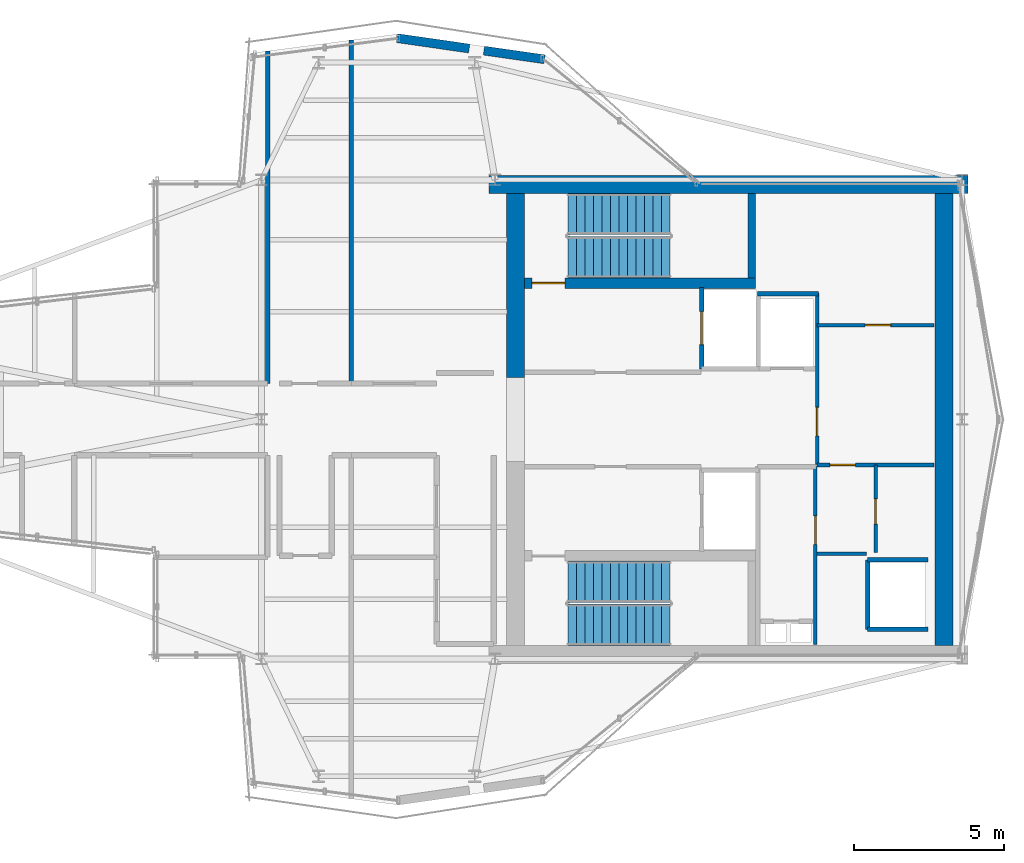
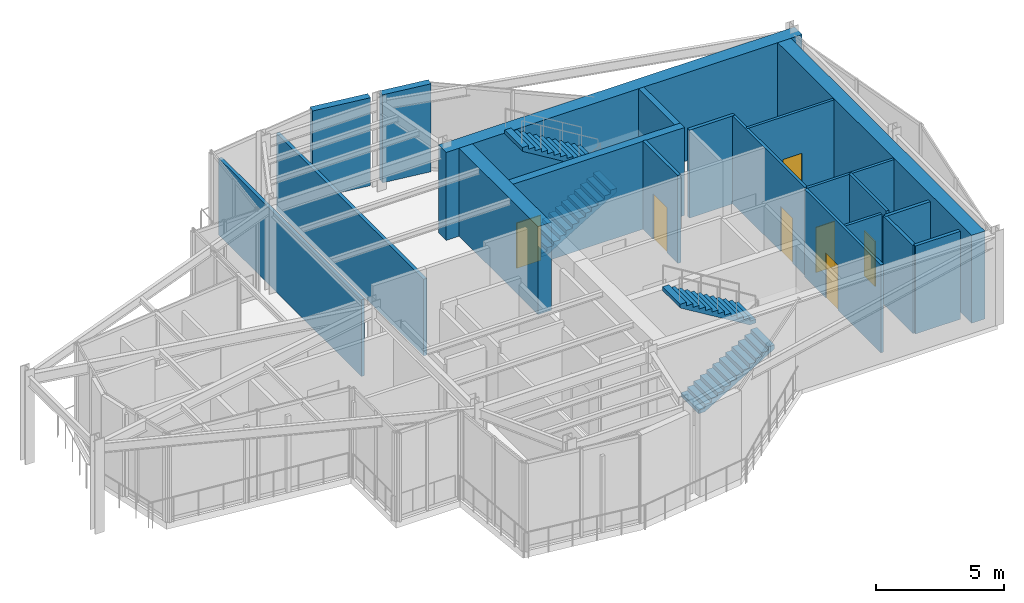
# One storey, part 9 of 14: 20 walls, 7 doors, 4 stair flights, 7 openings, 2 elements without a shape of their own.
"""IFC4 building model written with IfcOpenShell, lengths in metres."""

from ifc_helpers import new_model, si_unit, direction, frame, frame_2d, origin, place, context, subcontext, project, spatial, polyline, rectangle, outline, extrude, material, layer, layer_set, type_object, element, fill, aggregate, save


model = new_model("IFC4")

# Units and contexts
model_context = context("Model", 3, precision=1e-05, world=origin(), true_north=direction((0.0, 1.0)))
body_context = subcontext(model_context, "Body", "Model", "MODEL_VIEW")
ifc_project = project(units=[si_unit("LENGTHUNIT", "METRE"), si_unit("AREAUNIT", "SQUARE_METRE"), si_unit("VOLUMEUNIT", "CUBIC_METRE"), si_unit("PLANEANGLEUNIT", "RADIAN"), si_unit("MASSUNIT", "GRAM", prefix="KILO")], contexts=[model_context])

# Site, building, storey
site_placement = place(None, origin())
site = spatial("IfcSite", under=ifc_project, at=site_placement, CompositionType="ELEMENT")
building_placement = place(site_placement, origin())
building = spatial("IfcBuilding", under=site, at=building_placement, Name="Veymaron Broadcast Tower", CompositionType="ELEMENT")
storey_placement = place(building_placement, frame((0.0, 0.0, 332.39990234375)))
storey = spatial("IfcBuildingStorey", under=building, at=storey_placement, Name="L78", CompositionType="ELEMENT", Elevation=332.39990234375)

# Walls
ifc_material_1 = material(Name="Precast concrete C40/50 with mineral-wool insulation", Category="concrete")
ifc_layer_1 = layer(ifc_material_1, 0.300048828125)
ifc_layer_set_1 = layer_set([ifc_layer_1], Name="Precast concrete C40/50 with mineral-wool insulation")
wall_type_1 = type_object("IfcWallType", Name="WALL-EXT-300", PredefinedType="STANDARD", material=ifc_layer_set_1)
wall_1_placement = place(storey_placement, frame((40.65185546875, 36.029296875, 0.0), z_axis=(0.0, 0.0, 1.0), x_axis=(-0.989904067126, 0.141738978007, 0.0)))
element("IfcWall", 1, at=wall_1_placement, inside=storey, type_object=wall_type_1, Name="L78 crown plant enclosure wall 6-1", PredefinedType="STANDARD", context=body_context, shape_type="SweptSolid", body=[
    extrude(rectangle(XDim=2.044677734375, YDim=0.300048828125, at=frame_2d((1.0224609375, 0.0))), origin(), (0.0, 0.0, 1.0), 4.18017578125),
])
wall_2_placement = place(storey_placement, frame((38.13623046875, 36.389404296875, 0.0), z_axis=(0.0, 0.0, 1.0), x_axis=(-0.989917298502, 0.141646539412, 0.0)))
element("IfcWall", 2, at=wall_2_placement, inside=storey, type_object=wall_type_1, Name="L78 crown plant enclosure wall 6-2", PredefinedType="STANDARD", context=body_context, shape_type="SweptSolid", body=[
    extrude(rectangle(XDim=2.428466796875, YDim=0.300048828125, at=frame_2d((1.21435546875, 0.0))), origin(), (0.0, 0.0, 1.0), 4.18017578125),
])

# Wall, opening, door
ifc_material_2 = material(Name="Gypsum fireboard and steel stud framing", Category="steel")
ifc_layer_2 = layer(ifc_material_2, 0.14990234375)
ifc_layer_set_2 = layer_set([ifc_layer_2], Name="Gypsum fireboard and steel stud framing")
wall_type_2 = type_object("IfcWallType", Name="WALL-FIRE-150", PredefinedType="PARTITIONING", material=ifc_layer_set_2)
wall_3_placement = place(storey_placement, frame((45.89501953125, 25.68994140625, 0.0), z_axis=(0.0, 0.0, 1.0), x_axis=(0.0, 1.0, 0.0)))
wall_3 = element("IfcWall", 3, at=wall_3_placement, inside=storey, type_object=wall_type_2, Name="L78 partition IW-L78-SHW-FFL-1", PredefinedType="PARTITIONING", context=body_context, shape_type="SweptSolid", body=[
    extrude(rectangle(XDim=2.719970703125, YDim=0.14990234375, at=frame_2d((1.35986328125, 0.0))), origin(), (0.0, 0.0, 1.0), 4.18017578125),
])
opening_1_placement = place(wall_3_placement, frame((0.81005859375, 0.0, 0.0)))
opening_1 = element("IfcOpeningElement", 4, at=opening_1_placement, cuts=wall_3, Name="Opening LD", PredefinedType="OPENING", context=body_context, shape_type="SweptSolid", body=[
    extrude(rectangle(XDim=1.10009765625, YDim=2.14990234375, at=frame_2d((0.550048828125, 1.074951171875))), frame((0.0, 0.0849609375, 0.0), z_axis=(0.0, -1.0, 0.0), x_axis=(1.0, 0.0, 0.0)), (0.0, 0.0, 1.0), 0.169921875),
])
ifc_material_3 = material(Name="Brushed stainless steel AISI 304", Category="steel")
door_type_1 = type_object("IfcDoorType", Name="DOOR-LIFT-1100", OperationType="DOUBLE_DOOR_SLIDING", PredefinedType="DOOR", material=ifc_material_3)
door_1_placement = place(opening_1_placement, frame((1.10009765625, 0.0, 0.0), z_axis=(0.0, 0.0, 1.0), x_axis=(-1.0, 0.0, 0.0)))
door_1 = element("IfcDoor", 5, at=door_1_placement, inside=storey, type_object=door_type_1, Name="L78 door LD-L78-FFL-1", OperationType="DOUBLE_DOOR_SLIDING", OverallHeight=2.14990234375, OverallWidth=1.10009765625, PredefinedType="DOOR", context=body_context, shape_type="SweptSolid", body=[
    extrude(rectangle(XDim=1.10009765625, YDim=2.14990234375, at=frame_2d((0.550048828125, 1.074951171875))), frame((0.0, 0.02490234375, 0.0), z_axis=(0.0, -1.0, 0.0), x_axis=(1.0, 0.0, 0.0)), (0.0, 0.0, 1.0), 0.050048828125),
])
fill(opening_1, door_1)

# Walls
wall_4_placement = place(storey_placement, frame((51.445068359375, 16.989990234375, 0.0), z_axis=(0.0, 0.0, 1.0), x_axis=(0.0, 1.0, 0.0)))
element("IfcWall", 6, at=wall_4_placement, inside=storey, type_object=wall_type_2, Name="L78 partition IW-L78-SHW-PH1", PredefinedType="PARTITIONING", context=body_context, shape_type="SweptSolid", body=[
    extrude(rectangle(XDim=2.320068359375, YDim=0.14990234375, at=frame_2d((1.16015625, 0.0))), origin(), (0.0, 0.0, 1.0), 4.18017578125),
])
for number, where, z_axis, x_axis, name in (
    (7, (51.445068359375, 16.989990234375, 0.0), (0.0, 0.0, 1.0), (1.0, 0.0, 0.0), "L78 partition IW-L78-SHS-PH1"),
    (8, (51.445068359375, 19.31005859375, 0.0), (0.0, 0.0, 1.0), (1.0, 0.0, 0.0), "L78 partition IW-L78-SHN-PH1"),
):
    element("IfcWall", number, at=place(storey_placement, frame(where, z_axis=z_axis, x_axis=x_axis)), inside=storey, type_object=wall_type_2, Name=name, PredefinedType="PARTITIONING", context=body_context, shape_type="SweptSolid", body=[
        extrude(rectangle(XDim=2.014892578125, YDim=0.14990234375, at=frame_2d((1.00732421875, 0.0))), origin(), (0.0, 0.0, 1.0), 4.18017578125),
    ])
wall_5_placement = place(storey_placement, frame((47.760009765625, 28.199951171875, 0.0), z_axis=(0.0, 0.0, 1.0), x_axis=(1.0, 0.0, 0.0)))
element("IfcWall", 9, at=wall_5_placement, inside=storey, type_object=wall_type_2, Name="L78 partition IW-L78-F3-SW", PredefinedType="PARTITIONING", context=body_context, shape_type="SweptSolid", body=[
    extrude(rectangle(XDim=2.0400390625, YDim=0.14990234375, at=frame_2d((1.02001953125, 0.0))), origin(), (0.0, 0.0, 1.0), 4.18017578125),
])
ifc_material_4 = material(Name="Fire-rated laminated glass in aluminium frame", Category="aluminium")
ifc_layer_3 = layer(ifc_material_4, 0.14990234375)
ifc_layer_set_3 = layer_set([ifc_layer_3], Name="Fire-rated laminated glass in aluminium frame")
wall_type_3 = type_object("IfcWallType", Name="WALL-GLZ-150", PredefinedType="MOVABLE", material=ifc_layer_set_3)
wall_6_placement = place(storey_placement, frame((31.39990234375, 25.199951171875, 0.0), z_axis=(0.0, 0.0, 1.0), x_axis=(0.0, 1.0, 0.0)))
element("IfcWall", 10, at=wall_6_placement, inside=storey, type_object=wall_type_3, Name="L78 partition IW-L78-P29", PredefinedType="MOVABLE", context=body_context, shape_type="SweptSolid", body=[
    extrude(rectangle(XDim=11.10595703125, YDim=0.14990234375, at=frame_2d((5.552978515625, 0.0))), origin(), (0.0, 0.0, 1.0), 3.64013671875),
])
wall_7_placement = place(storey_placement, frame((34.199951171875, 25.199951171875, 0.0), z_axis=(0.0, 0.0, 1.0), x_axis=(0.0, 1.0, 0.0)))
element("IfcWall", 11, at=wall_7_placement, inside=storey, type_object=wall_type_3, Name="L78 partition IW-L78-P30", PredefinedType="MOVABLE", context=body_context, shape_type="SweptSolid", body=[
    extrude(rectangle(XDim=11.47021484375, YDim=0.14990234375, at=frame_2d((5.735107421875, 0.0))), origin(), (0.0, 0.0, 1.0), 3.64013671875),
])

# Wall, opening, door
ifc_material_5 = material(Name="Acoustic gypsum board and galvanized stud", Category="gypsum")
ifc_layer_4 = layer(ifc_material_5, 0.1201171875)
ifc_layer_set_4 = layer_set([ifc_layer_4], Name="Acoustic gypsum board and galvanized stud")
wall_type_4 = type_object("IfcWallType", Name="WALL-PART-120", PredefinedType="PARTITIONING", material=ifc_layer_set_4)
wall_8_placement = place(storey_placement, frame((49.699951171875, 16.47998046875, 0.0), z_axis=(0.0, 0.0, 1.0), x_axis=(0.0, 1.0, 0.0)))
wall_8 = element("IfcWall", 12, at=wall_8_placement, inside=storey, type_object=wall_type_4, Name="L78 partition IW-L78-SM-E", PredefinedType="PARTITIONING", context=body_context, shape_type="SweptSolid", body=[
    extrude(rectangle(XDim=5.945068359375, YDim=0.1201171875, at=frame_2d((2.97265625, 0.0))), origin(), (0.0, 0.0, 1.0), 4.18017578125),
])
opening_2_placement = place(wall_8_placement, frame((3.35009765625, 0.0, 0.0)))
opening_2 = element("IfcOpeningElement", 13, at=opening_2_placement, cuts=wall_8, Name="Opening ID-RM1", PredefinedType="OPENING", context=body_context, shape_type="SweptSolid", body=[
    extrude(rectangle(XDim=0.949951171875, YDim=2.14990234375, at=frame_2d((0.47509765625, 1.074951171875))), frame((0.0, 0.070068359375, 0.0), z_axis=(0.0, -1.0, 0.0), x_axis=(1.0, 0.0, 0.0)), (0.0, 0.0, 1.0), 0.14013671875),
])
ifc_material_6 = material(Name="Acoustic solid-core European oak veneer timber", Category="wood")
door_type_2 = type_object("IfcDoorType", Name="DOOR-INT-950", OperationType="NOTDEFINED", PredefinedType="DOOR", material=ifc_material_6)
door_2_placement = place(opening_2_placement, frame((0.949951171875, 0.0, 0.0), z_axis=(0.0, 0.0, 1.0), x_axis=(-1.0, 0.0, 0.0)))
door_2 = element("IfcDoor", 14, at=door_2_placement, inside=storey, type_object=door_type_2, Name="L78 door DR-L78-AWC", OperationType="SINGLE_SWING_LEFT", OverallHeight=2.14990234375, OverallWidth=0.949951171875, PredefinedType="DOOR", context=body_context, shape_type="SweptSolid", body=[
    extrude(rectangle(XDim=0.949951171875, YDim=2.14990234375, at=frame_2d((0.47509765625, 1.074951171875))), frame((0.0, 0.02490234375, 0.0), z_axis=(0.0, -1.0, 0.0), x_axis=(1.0, 0.0, 0.0)), (0.0, 0.0, 1.0), 0.050048828125),
])
fill(opening_2, door_2)

wall_9_placement = place(storey_placement, frame((49.760009765625, 22.47998046875, 0.0), z_axis=(0.0, 0.0, 1.0), x_axis=(1.0, 0.0, 0.0)))
wall_9 = element("IfcWall", 15, at=wall_9_placement, inside=storey, type_object=wall_type_4, Name="L78 partition IW-L78-F3S-N", PredefinedType="PARTITIONING", context=body_context, shape_type="SweptSolid", body=[
    extrude(rectangle(XDim=3.89990234375, YDim=0.1201171875, at=frame_2d((1.949951171875, 0.0))), origin(), (0.0, 0.0, 1.0), 4.18017578125),
])
opening_3_placement = place(wall_9_placement, frame((0.419921875, 0.0, 0.0)))
opening_3 = element("IfcOpeningElement", 16, at=opening_3_placement, cuts=wall_9, Name="Opening ID-WC1", PredefinedType="OPENING", context=body_context, shape_type="SweptSolid", body=[
    extrude(rectangle(XDim=0.85009765625, YDim=2.14990234375, at=frame_2d((0.425048828125, 1.074951171875))), frame((0.0, 0.070068359375, 0.0), z_axis=(0.0, -1.0, 0.0), x_axis=(1.0, 0.0, 0.0)), (0.0, 0.0, 1.0), 0.14013671875),
])
ifc_material_7 = material(Name="Moisture-resistant high-pressure laminate timber", Category="wood")
door_type_3 = type_object("IfcDoorType", Name="DOOR-INT-850", OperationType="NOTDEFINED", PredefinedType="DOOR", material=ifc_material_7)
door_3_placement = place(opening_3_placement, frame((0.85009765625, 0.0, 0.0), z_axis=(0.0, 0.0, 1.0), x_axis=(-1.0, 0.0, 0.0)))
door_3 = element("IfcDoor", 17, at=door_3_placement, inside=storey, type_object=door_type_3, Name="L78 door DR-L78-F3S", OperationType="SINGLE_SWING_LEFT", OverallHeight=2.14990234375, OverallWidth=0.85009765625, PredefinedType="DOOR", context=body_context, shape_type="SweptSolid", body=[
    extrude(rectangle(XDim=0.85009765625, YDim=2.14990234375, at=frame_2d((0.425048828125, 1.074951171875))), frame((0.0, 0.02490234375, 0.0), z_axis=(0.0, -1.0, 0.0), x_axis=(1.0, 0.0, 0.0)), (0.0, 0.0, 1.0), 0.050048828125),
])
fill(opening_3, door_3)

wall_10_placement = place(storey_placement, frame((51.7099609375, 19.550048828125, 0.0), z_axis=(0.0, 0.0, 1.0), x_axis=(0.0, 1.0, 0.0)))
wall_10 = element("IfcWall", 18, at=wall_10_placement, inside=storey, type_object=wall_type_4, Name="L78 partition IW-L78-F3S-M", PredefinedType="PARTITIONING", context=body_context, shape_type="SweptSolid", body=[
    extrude(rectangle(XDim=2.929931640625, YDim=0.1201171875, at=frame_2d((1.46484375, 0.0))), origin(), (0.0, 0.0, 1.0), 4.18017578125),
])
opening_4_placement = place(wall_10_placement, frame((0.949951171875, 0.0, 0.0)))
opening_4 = element("IfcOpeningElement", 19, at=opening_4_placement, cuts=wall_10, Name="Opening ID-WC1", PredefinedType="OPENING", context=body_context, shape_type="SweptSolid", body=[
    extrude(rectangle(XDim=0.85009765625, YDim=2.14990234375, at=frame_2d((0.425048828125, 1.074951171875))), frame((0.0, 0.070068359375, 0.0), z_axis=(0.0, -1.0, 0.0), x_axis=(1.0, 0.0, 0.0)), (0.0, 0.0, 1.0), 0.14013671875),
])
door_4_placement = place(opening_4_placement, origin())
door_4 = element("IfcDoor", 20, at=door_4_placement, inside=storey, type_object=door_type_3, Name="L78 door DR-L78-F3SB", OperationType="SINGLE_SWING_RIGHT", OverallHeight=2.14990234375, OverallWidth=0.85009765625, PredefinedType="DOOR", context=body_context, shape_type="SweptSolid", body=[
    extrude(rectangle(XDim=0.85009765625, YDim=2.14990234375, at=frame_2d((0.425048828125, 1.074951171875))), frame((0.0, 0.02490234375, 0.0), z_axis=(0.0, -1.0, 0.0), x_axis=(1.0, 0.0, 0.0)), (0.0, 0.0, 1.0), 0.050048828125),
])
fill(opening_4, door_4)

# Wall
wall_11_placement = place(storey_placement, frame((49.760009765625, 19.52001953125, 0.0), z_axis=(0.0, 0.0, 1.0), x_axis=(1.0, 0.0, 0.0)))
element("IfcWall", 21, at=wall_11_placement, inside=storey, type_object=wall_type_4, Name="L78 partition IW-L78-F3S-S", PredefinedType="PARTITIONING", context=body_context, shape_type="SweptSolid", body=[
    extrude(rectangle(XDim=1.639892578125, YDim=0.1201171875, at=frame_2d((0.81982421875, 0.0))), origin(), (0.0, 0.0, 1.0), 4.18017578125),
])

# Wall, opening, door
wall_12_placement = place(storey_placement, frame((49.760009765625, 22.5, 0.0), z_axis=(0.0, 0.0, 1.0), x_axis=(0.0, 1.0, 0.0)))
wall_12 = element("IfcWall", 22, at=wall_12_placement, inside=storey, type_object=wall_type_4, Name="L78 partition IW-L78-F3-W", PredefinedType="PARTITIONING", context=body_context, shape_type="SweptSolid", body=[
    extrude(rectangle(XDim=5.719970703125, YDim=0.1201171875, at=frame_2d((2.85986328125, 0.0))), origin(), (0.0, 0.0, 1.0), 4.18017578125),
])
opening_5_placement = place(wall_12_placement, frame((0.949951171875, 0.0, 0.0)))
opening_5 = element("IfcOpeningElement", 23, at=opening_5_placement, cuts=wall_12, Name="Opening ID-RM1", PredefinedType="OPENING", context=body_context, shape_type="SweptSolid", body=[
    extrude(rectangle(XDim=0.949951171875, YDim=2.14990234375, at=frame_2d((0.47509765625, 1.074951171875))), frame((0.0, 0.070068359375, 0.0), z_axis=(0.0, -1.0, 0.0), x_axis=(1.0, 0.0, 0.0)), (0.0, 0.0, 1.0), 0.14013671875),
])
door_5_placement = place(opening_5_placement, origin())
door_5 = element("IfcDoor", 24, at=door_5_placement, inside=storey, type_object=door_type_2, Name="L78 door DR-L78-F3A", OperationType="SINGLE_SWING_LEFT", OverallHeight=2.14990234375, OverallWidth=0.949951171875, PredefinedType="DOOR", context=body_context, shape_type="SweptSolid", body=[
    extrude(rectangle(XDim=0.949951171875, YDim=2.14990234375, at=frame_2d((0.47509765625, 1.074951171875))), frame((0.0, 0.02490234375, 0.0), z_axis=(0.0, -1.0, 0.0), x_axis=(1.0, 0.0, 0.0)), (0.0, 0.0, 1.0), 0.050048828125),
])
fill(opening_5, door_5)

wall_13_placement = place(storey_placement, frame((49.760009765625, 27.14990234375, 0.0), z_axis=(0.0, 0.0, 1.0), x_axis=(1.0, 0.0, 0.0)))
wall_13 = element("IfcWall", 25, at=wall_13_placement, inside=storey, type_object=wall_type_4, Name="L78 partition IW-L78-F3-M1", PredefinedType="PARTITIONING", context=body_context, shape_type="SweptSolid", body=[
    extrude(rectangle(XDim=3.89990234375, YDim=0.1201171875, at=frame_2d((1.949951171875, 0.0))), origin(), (0.0, 0.0, 1.0), 4.18017578125),
])
opening_6_placement = place(wall_13_placement, frame((1.60009765625, 0.0, 0.0)))
opening_6 = element("IfcOpeningElement", 26, at=opening_6_placement, cuts=wall_13, Name="Opening ID-WC1", PredefinedType="OPENING", context=body_context, shape_type="SweptSolid", body=[
    extrude(rectangle(XDim=0.85009765625, YDim=2.14990234375, at=frame_2d((0.425048828125, 1.074951171875))), frame((0.0, 0.070068359375, 0.0), z_axis=(0.0, -1.0, 0.0), x_axis=(1.0, 0.0, 0.0)), (0.0, 0.0, 1.0), 0.14013671875),
])
door_6_placement = place(opening_6_placement, origin())
door_6 = element("IfcDoor", 27, at=door_6_placement, inside=storey, type_object=door_type_3, Name="L78 door DR-L78-F3B", OperationType="SINGLE_SWING_LEFT", OverallHeight=2.14990234375, OverallWidth=0.85009765625, PredefinedType="DOOR", context=body_context, shape_type="SweptSolid", body=[
    extrude(rectangle(XDim=0.85009765625, YDim=2.14990234375, at=frame_2d((0.425048828125, 1.074951171875))), frame((0.0, 0.02490234375, 0.0), z_axis=(0.0, -1.0, 0.0), x_axis=(1.0, 0.0, 0.0)), (0.0, 0.0, 1.0), 0.050048828125),
])
fill(opening_6, door_6)

# Wall
ifc_material_8 = material(Name="Concrete C50/60", Category="concrete")
ifc_layer_5 = layer(ifc_material_8, 0.25)
ifc_layer_set_5 = layer_set([ifc_layer_5], Name="Concrete C50/60")
wall_type_5 = type_object("IfcWallType", Name="WALL-SHEAR-250", PredefinedType="SHEAR", material=ifc_layer_set_5)
wall_14_placement = place(storey_placement, frame((47.56494140625, 28.72998046875, 0.0), z_axis=(0.0, 0.0, 1.0), x_axis=(0.0, 1.0, 0.0)))
element("IfcWall", 28, at=wall_14_placement, inside=storey, type_object=wall_type_5, Name="L78 Core Wall north stair east shear", PredefinedType="SHEAR", context=body_context, shape_type="SweptSolid", body=[
    extrude(rectangle(XDim=2.820068359375, YDim=0.25, at=frame_2d((1.41015625, 0.0))), origin(), (0.0, 0.0, 1.0), 4.18017578125),
])

# Wall, opening, door
ifc_layer_6 = layer(ifc_material_8, 0.35009765625)
ifc_layer_set_6 = layer_set([ifc_layer_6], Name="Concrete C50/60")
wall_type_6 = type_object("IfcWallType", Name="WALL-SHEAR-350", PredefinedType="SHEAR", material=ifc_layer_set_6)
wall_15_placement = place(storey_placement, frame((39.97998046875, 28.554931640625, 0.0), z_axis=(0.0, 0.0, 1.0), x_axis=(1.0, 0.0, 0.0)))
wall_15 = element("IfcWall", 29, at=wall_15_placement, inside=storey, type_object=wall_type_6, Name="L78 Core Wall north stair spine", PredefinedType="SHEAR", context=body_context, shape_type="SweptSolid", body=[
    extrude(rectangle(XDim=7.7099609375, YDim=0.35009765625, at=frame_2d((3.85498046875, 0.0))), origin(), (0.0, 0.0, 1.0), 4.18017578125),
])
opening_7_placement = place(wall_15_placement, frame((0.25, 0.0, 0.0)))
opening_7 = element("IfcOpeningElement", 30, at=opening_7_placement, cuts=wall_15, Name="Opening ID-ST1", PredefinedType="OPENING", context=body_context, shape_type="SweptSolid", body=[
    extrude(rectangle(XDim=1.10009765625, YDim=2.14990234375, at=frame_2d((0.550048828125, 1.074951171875))), frame((0.0, 0.18505859375, 0.0), z_axis=(0.0, -1.0, 0.0), x_axis=(1.0, 0.0, 0.0)), (0.0, 0.0, 1.0), 0.3701171875),
])
ifc_material_9 = material(Name="Fire-rated painted hollow steel ASTM A653", Category="steel")
door_type_4 = type_object("IfcDoorType", Name="DOOR-STAIR-1100", OperationType="NOTDEFINED", PredefinedType="DOOR", material=ifc_material_9)
door_7_placement = place(opening_7_placement, origin())
door_7 = element("IfcDoor", 31, at=door_7_placement, inside=storey, type_object=door_type_4, Name="L78 exit stair ST1 fire door", OperationType="SINGLE_SWING_LEFT", OverallHeight=2.14990234375, OverallWidth=1.10009765625, PredefinedType="DOOR", context=body_context, shape_type="SweptSolid", body=[
    extrude(rectangle(XDim=1.10009765625, YDim=2.14990234375, at=frame_2d((0.550048828125, 1.074951171875))), frame((0.0, 0.02490234375, 0.0), z_axis=(0.0, -1.0, 0.0), x_axis=(1.0, 0.0, 0.0)), (0.0, 0.0, 1.0), 0.050048828125),
])
fill(opening_7, door_7)

# Walls
ifc_layer_7 = layer(ifc_material_8, 0.60009765625)
ifc_layer_set_7 = layer_set([ifc_layer_7], Name="Concrete C50/60")
wall_type_7 = type_object("IfcWallType", Name="WALL-SHEAR-600", PredefinedType="SHEAR", material=ifc_layer_set_7)
wall_16_placement = place(storey_placement, frame((38.800048828125, 31.85009765625, 0.0), z_axis=(0.0, 0.0, 1.0), x_axis=(1.0, 0.0, 0.0)))
element("IfcWall", 32, at=wall_16_placement, inside=storey, type_object=wall_type_7, Name="L78 Core Wall north shear", PredefinedType="SHEAR", context=body_context, shape_type="SweptSolid", body=[
    extrude(rectangle(XDim=16.0, YDim=0.60009765625, at=frame_2d((8.0, 0.0))), origin(), (0.0, 0.0, 1.0), 4.18017578125),
])
wall_17_placement = place(storey_placement, frame((39.679931640625, 25.39990234375, 0.0), z_axis=(0.0, 0.0, 1.0), x_axis=(0.0, 1.0, 0.0)))
element("IfcWall", 33, at=wall_17_placement, inside=storey, type_object=wall_type_7, Name="L78 Core Wall west-north shear", PredefinedType="SHEAR", context=body_context, shape_type="SweptSolid", body=[
    extrude(rectangle(XDim=6.150146484375, YDim=0.60009765625, at=frame_2d((3.0751953125, 0.0))), origin(), (0.0, 0.0, 1.0), 4.18017578125),
])
wall_18_placement = place(storey_placement, frame((54.0, 16.449951171875, 0.0), z_axis=(0.0, 0.0, 1.0), x_axis=(0.0, 1.0, 0.0)))
element("IfcWall", 34, at=wall_18_placement, inside=storey, type_object=wall_type_7, Name="L78 Core Wall east shear", PredefinedType="SHEAR", context=body_context, shape_type="SweptSolid", body=[
    extrude(rectangle(XDim=15.10009765625, YDim=0.60009765625, at=frame_2d((7.550048828125, 0.0))), origin(), (0.0, 0.0, 1.0), 4.18017578125),
])

# Stair, stair flights
stair_type_1 = type_object("IfcStairType", Name="STAIR-CORE-1", PredefinedType="HALF_TURN_STAIR", material=ifc_material_8)
stair_1_placement = place(storey_placement, origin())
stair_1 = element("IfcStair", 35, at=stair_1_placement, inside=storey, type_object=stair_type_1, Name="L78 North protected dog-leg exit stair ST1", PredefinedType="HALF_TURN_STAIR")
ifc_material_10 = material(Name="Precast concrete C50/60", Category="concrete")
stair_flight_type = type_object("IfcStairFlightType", Name="FLT-CORE-RC", PredefinedType="STRAIGHT", material=ifc_material_10)
stair_flight_1_placement = place(storey_placement, frame((41.429931640625, 29.419921875, 0.0), z_axis=(0.0, 0.0, 1.0), x_axis=(1.0, 0.0, 0.0)))
stair_flight_1 = element("IfcStairFlight", 36, at=stair_flight_1_placement, type_object=stair_flight_type, Name="ST1 flight 1", NumberOfRisers=13, NumberOfTreads=12, PredefinedType="STRAIGHT", RiserHeight=0.173076923, TreadLength=0.285, context=body_context, shape_type="SweptSolid", body=[
    extrude(outline(polyline([(0.0, 0.0), (0.0, 0.173095703125), (0.284912109375, 0.173095703125), (0.284912109375, 0.34619140625), (0.570068359375, 0.34619140625), (0.570068359375, 0.519287109375), (0.85498046875, 0.519287109375), (0.85498046875, 0.6923828125), (1.139892578125, 0.6923828125), (1.139892578125, 0.865478515625), (1.425048828125, 0.865478515625), (1.425048828125, 1.03857421875), (1.7099609375, 1.03857421875), (1.7099609375, 1.21142578125), (1.9951171875, 1.21142578125), (1.9951171875, 1.384521484375), (2.280029296875, 1.384521484375), (2.280029296875, 1.5576171875), (2.56494140625, 1.5576171875), (2.56494140625, 1.730712890625), (2.85009765625, 1.730712890625), (2.85009765625, 1.90380859375), (3.135009765625, 1.90380859375), (3.135009765625, 2.076904296875), (3.419921875, 2.076904296875), (3.419921875, 2.25), (3.419921875, 1.901611328125), (0.288818359375, 0.0), (0.0, 0.0)])), frame((0.0, 0.68994140625, 0.0), z_axis=(0.0, -1.0, 0.0), x_axis=(1.0, 0.0, 0.0)), (0.0, 0.0, 1.0), 1.3798828125),
])
stair_flight_2_placement = place(storey_placement, frame((44.85009765625, 30.860107421875, 2.25), z_axis=(0.0, 0.0, 1.0), x_axis=(-1.0, 0.0, 0.0)))
stair_flight_2 = element("IfcStairFlight", 37, at=stair_flight_2_placement, type_object=stair_flight_type, Name="ST1 flight 2", NumberOfRisers=13, NumberOfTreads=12, PredefinedType="STRAIGHT", RiserHeight=0.173076923, TreadLength=0.285, context=body_context, shape_type="SweptSolid", body=[
    extrude(outline(polyline([(0.0, 0.0), (0.0, 0.173095703125), (0.284912109375, 0.173095703125), (0.284912109375, 0.34619140625), (0.570068359375, 0.34619140625), (0.570068359375, 0.519287109375), (0.85498046875, 0.519287109375), (0.85498046875, 0.6923828125), (1.139892578125, 0.6923828125), (1.139892578125, 0.865478515625), (1.425048828125, 0.865478515625), (1.425048828125, 1.03857421875), (1.7099609375, 1.03857421875), (1.7099609375, 1.21142578125), (1.9951171875, 1.21142578125), (1.9951171875, 1.384521484375), (2.280029296875, 1.384521484375), (2.280029296875, 1.5576171875), (2.56494140625, 1.5576171875), (2.56494140625, 1.730712890625), (2.85009765625, 1.730712890625), (2.85009765625, 1.90380859375), (3.135009765625, 1.90380859375), (3.135009765625, 2.076904296875), (3.419921875, 2.076904296875), (3.419921875, 2.25), (3.419921875, 1.901611328125), (0.288818359375, 0.0), (0.0, 0.0)])), frame((0.0, 0.68994140625, 0.0), z_axis=(0.0, -1.0, 0.0), x_axis=(1.0, 0.0, 0.0)), (0.0, 0.0, 1.0), 1.3798828125),
])
aggregate(stair_1, [stair_flight_1, stair_flight_2])

stair_type_2 = type_object("IfcStairType", Name="STAIR-CORE-2", PredefinedType="HALF_TURN_STAIR", material=ifc_material_8)
stair_2_placement = place(storey_placement, origin())
stair_2 = element("IfcStair", 38, at=stair_2_placement, inside=storey, type_object=stair_type_2, Name="L78 South protected dog-leg exit stair ST2", PredefinedType="HALF_TURN_STAIR")
stair_flight_3_placement = place(storey_placement, frame((41.429931640625, 17.139892578125, 0.0), z_axis=(0.0, 0.0, 1.0), x_axis=(1.0, 0.0, 0.0)))
stair_flight_3 = element("IfcStairFlight", 39, at=stair_flight_3_placement, type_object=stair_flight_type, Name="ST2 flight 1", NumberOfRisers=13, NumberOfTreads=12, PredefinedType="STRAIGHT", RiserHeight=0.173076923, TreadLength=0.285, context=body_context, shape_type="SweptSolid", body=[
    extrude(outline(polyline([(0.0, 0.0), (0.0, 0.173095703125), (0.284912109375, 0.173095703125), (0.284912109375, 0.34619140625), (0.570068359375, 0.34619140625), (0.570068359375, 0.519287109375), (0.85498046875, 0.519287109375), (0.85498046875, 0.6923828125), (1.139892578125, 0.6923828125), (1.139892578125, 0.865478515625), (1.425048828125, 0.865478515625), (1.425048828125, 1.03857421875), (1.7099609375, 1.03857421875), (1.7099609375, 1.21142578125), (1.9951171875, 1.21142578125), (1.9951171875, 1.384521484375), (2.280029296875, 1.384521484375), (2.280029296875, 1.5576171875), (2.56494140625, 1.5576171875), (2.56494140625, 1.730712890625), (2.85009765625, 1.730712890625), (2.85009765625, 1.90380859375), (3.135009765625, 1.90380859375), (3.135009765625, 2.076904296875), (3.419921875, 2.076904296875), (3.419921875, 2.25), (3.419921875, 1.901611328125), (0.288818359375, 0.0), (0.0, 0.0)])), frame((0.0, 0.68994140625, 0.0), z_axis=(0.0, -1.0, 0.0), x_axis=(1.0, 0.0, 0.0)), (0.0, 0.0, 1.0), 1.3798828125),
])
stair_flight_4_placement = place(storey_placement, frame((44.85009765625, 18.580078125, 2.25), z_axis=(0.0, 0.0, 1.0), x_axis=(-1.0, 0.0, 0.0)))
stair_flight_4 = element("IfcStairFlight", 40, at=stair_flight_4_placement, type_object=stair_flight_type, Name="ST2 flight 2", NumberOfRisers=13, NumberOfTreads=12, PredefinedType="STRAIGHT", RiserHeight=0.173076923, TreadLength=0.285, context=body_context, shape_type="SweptSolid", body=[
    extrude(outline(polyline([(0.0, 0.0), (0.0, 0.173095703125), (0.284912109375, 0.173095703125), (0.284912109375, 0.34619140625), (0.570068359375, 0.34619140625), (0.570068359375, 0.519287109375), (0.85498046875, 0.519287109375), (0.85498046875, 0.6923828125), (1.139892578125, 0.6923828125), (1.139892578125, 0.865478515625), (1.425048828125, 0.865478515625), (1.425048828125, 1.03857421875), (1.7099609375, 1.03857421875), (1.7099609375, 1.21142578125), (1.9951171875, 1.21142578125), (1.9951171875, 1.384521484375), (2.280029296875, 1.384521484375), (2.280029296875, 1.5576171875), (2.56494140625, 1.5576171875), (2.56494140625, 1.730712890625), (2.85009765625, 1.730712890625), (2.85009765625, 1.90380859375), (3.135009765625, 1.90380859375), (3.135009765625, 2.076904296875), (3.419921875, 2.076904296875), (3.419921875, 2.25), (3.419921875, 1.901611328125), (0.288818359375, 0.0), (0.0, 0.0)])), frame((0.0, 0.68994140625, 0.0), z_axis=(0.0, -1.0, 0.0), x_axis=(1.0, 0.0, 0.0)), (0.0, 0.0, 1.0), 1.3798828125),
])
aggregate(stair_2, [stair_flight_3, stair_flight_4])

save(model, "model.ifc")
